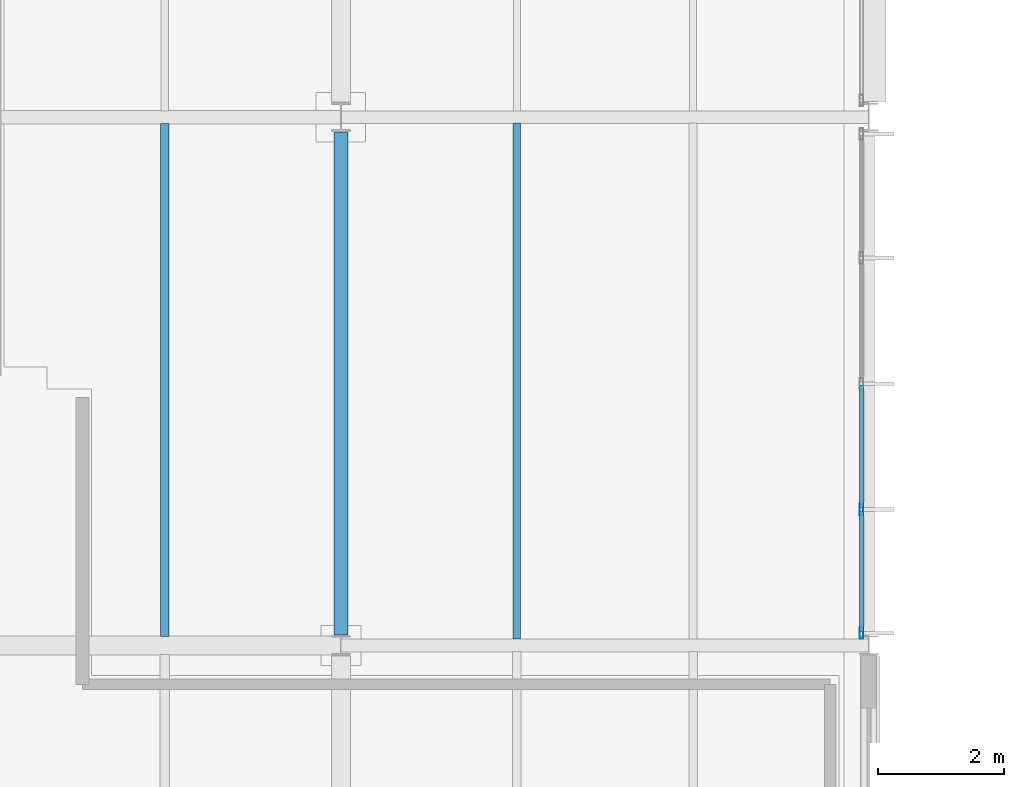
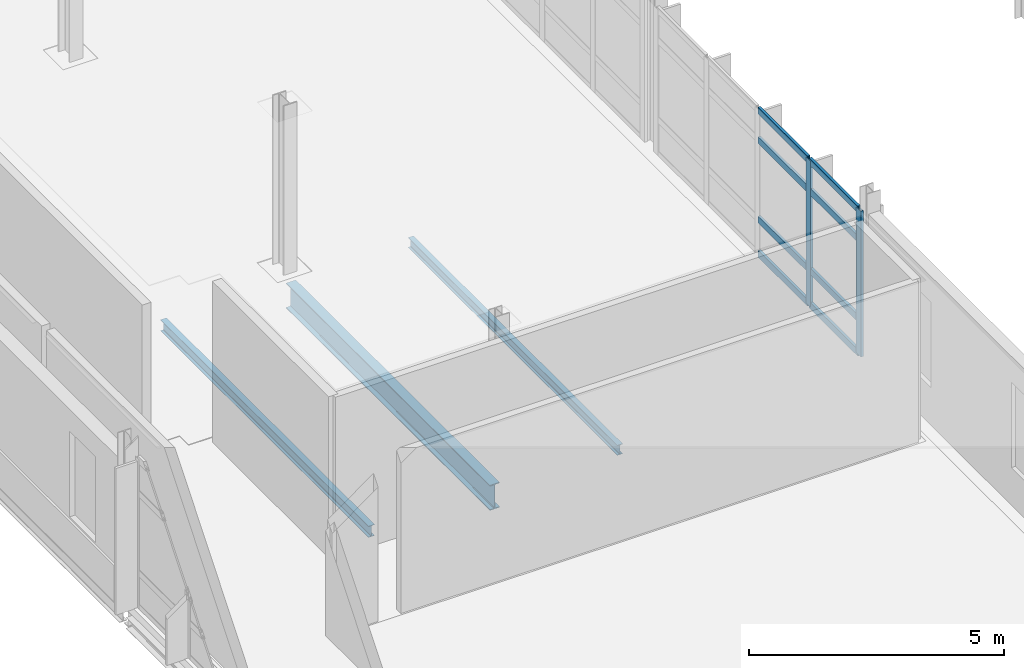
# One storey, part 49 of 103: 10 members, 3 beams, 1 element without a shape of its own.
"""IFC4 building model written with IfcOpenShell, lengths in metres."""

from ifc_helpers import new_model, si_unit, direction, frame, origin, origin_2d, place, context, subcontext, project, spatial, hollow_rectangle, i_section, extrude, material, material_profile, profile_set, type_object, element, aggregate, save


model = new_model("IFC4")

# Units and contexts
model_context = context("Model", 3, precision=1e-05, world=origin(), true_north=direction((0.0, 1.0)))
body_context = subcontext(model_context, "Body", "Model", "MODEL_VIEW")
ifc_project = project(units=[si_unit("LENGTHUNIT", "METRE"), si_unit("AREAUNIT", "SQUARE_METRE"), si_unit("VOLUMEUNIT", "CUBIC_METRE"), si_unit("PLANEANGLEUNIT", "RADIAN"), si_unit("MASSUNIT", "GRAM", prefix="KILO")], contexts=[model_context])

# Site, building, storey
site_placement = place(None, origin())
site = spatial("IfcSite", under=ifc_project, at=site_placement, CompositionType="ELEMENT")
building_placement = place(site_placement, origin())
building = spatial("IfcBuilding", under=site, at=building_placement, Name="Mersafa Astral City Hall", CompositionType="ELEMENT")
storey_placement = place(building_placement, frame((0.0, 0.0, 18.0)))
storey = spatial("IfcBuildingStorey", under=building, at=storey_placement, Name="L04", CompositionType="ELEMENT", Elevation=18.0)

# Curtain wall, members
ifc_material_1 = material(Name="Anodised bronze aluminium framing", Category="aluminium")
curtain_wall_type = type_object("IfcCurtainWallType", Name="ENV-CW-1", PredefinedType="USERDEFINED", material=ifc_material_1)
curtain_wall_placement = place(storey_placement, origin())
curtain_wall = element("IfcCurtainWall", 1, at=curtain_wall_placement, inside=storey, type_object=curtain_wall_type, Name="L04 Unitised solar curtain wall 216", ObjectType="UNITISED CURTAIN WALL", PredefinedType="USERDEFINED")
ifc_material_profile_1 = material_profile(ifc_material_1, hollow_rectangle(XDim=0.06005859375, YDim=0.179931640625, WallThickness=0.00390625, at=origin_2d()), Name="RHS 60x180x4")
ifc_profile_set_1 = profile_set([ifc_material_profile_1], Name="Anodised bronze aluminium framing")
member_type_1 = type_object("IfcMemberType", Name="ENV-CW-MUL-1", PredefinedType="MULLION", material=ifc_profile_set_1)
member_1_placement = place(storey_placement, frame((117.47998046875, 100.991943359375, -0.001953125), z_axis=(0.0, 0.0, 1.0), x_axis=(-1.0, 0.0, 0.0)))
member_1 = element("IfcMember", 2, at=member_1_placement, type_object=member_type_1, Name="CW-1 mullion 1", PredefinedType="MULLION", context=body_context, shape_type="SweptSolid", body=[
    extrude(hollow_rectangle(XDim=0.06005859375, YDim=0.179931640625, WallThickness=0.00390625, at=origin_2d()), origin(), (0.0, 0.0, 1.0), 3.489013671875),
])
member_2_placement = place(storey_placement, frame((117.47998046875, 102.962158203125, -0.001953125), z_axis=(0.0, 0.0, 1.0), x_axis=(-1.0, 0.0, 0.0)))
member_2 = element("IfcMember", 3, at=member_2_placement, type_object=member_type_1, Name="CW-1 mullion 2", PredefinedType="MULLION", context=body_context, shape_type="SweptSolid", body=[
    extrude(hollow_rectangle(XDim=0.06005859375, YDim=0.179931640625, WallThickness=0.00390625, at=origin_2d()), origin(), (0.0, 0.0, 1.0), 3.489013671875),
])
ifc_material_profile_2 = material_profile(ifc_material_1, hollow_rectangle(XDim=0.06005859375, YDim=0.159912109375, WallThickness=0.00390625, at=origin_2d()), Name="RHS 60x160x4")
ifc_profile_set_2 = profile_set([ifc_material_profile_2], Name="Anodised bronze aluminium framing")
member_type_2 = type_object("IfcMemberType", Name="ENV-CW-TRN-2", PredefinedType="USERDEFINED", material=ifc_profile_set_2)
member_3_placement = place(storey_placement, frame((117.47998046875, 101.02197265625, 0.028076171875), z_axis=(0.0, 1.0, 0.0), x_axis=(-1.0, 0.0, 0.0)))
member_3 = element("IfcMember", 4, at=member_3_placement, type_object=member_type_2, Name="CW-1 transom 1.1", ObjectType="TRANSOM", PredefinedType="USERDEFINED", context=body_context, shape_type="SweptSolid", body=[
    extrude(hollow_rectangle(XDim=0.06005859375, YDim=0.159912109375, WallThickness=0.00390625, at=origin_2d()), origin(), (0.0, 0.0, 1.0), 1.91015625),
])
member_4_placement = place(storey_placement, frame((117.47998046875, 101.02197265625, 0.85009765625), z_axis=(0.0, 1.0, 0.0), x_axis=(-1.0, 0.0, 0.0)))
member_4 = element("IfcMember", 5, at=member_4_placement, type_object=member_type_2, Name="CW-1 transom 1.2", ObjectType="TRANSOM", PredefinedType="USERDEFINED", context=body_context, shape_type="SweptSolid", body=[
    extrude(hollow_rectangle(XDim=0.06005859375, YDim=0.159912109375, WallThickness=0.00390625, at=origin_2d()), origin(), (0.0, 0.0, 1.0), 1.91015625),
])
member_5_placement = place(storey_placement, frame((117.47998046875, 101.02197265625, 2.75), z_axis=(0.0, 1.0, 0.0), x_axis=(-1.0, 0.0, 0.0)))
member_5 = element("IfcMember", 6, at=member_5_placement, type_object=member_type_2, Name="CW-1 transom 1.3", ObjectType="TRANSOM", PredefinedType="USERDEFINED", context=body_context, shape_type="SweptSolid", body=[
    extrude(hollow_rectangle(XDim=0.06005859375, YDim=0.159912109375, WallThickness=0.00390625, at=origin_2d()), origin(), (0.0, 0.0, 1.0), 1.91015625),
])
member_6_placement = place(storey_placement, frame((117.47998046875, 101.02197265625, 3.45703125), z_axis=(0.0, 1.0, 0.0), x_axis=(-1.0, 0.0, 0.0)))
member_6 = element("IfcMember", 7, at=member_6_placement, type_object=member_type_2, Name="CW-1 transom 1.4", ObjectType="TRANSOM", PredefinedType="USERDEFINED", context=body_context, shape_type="SweptSolid", body=[
    extrude(hollow_rectangle(XDim=0.06005859375, YDim=0.159912109375, WallThickness=0.00390625, at=origin_2d()), origin(), (0.0, 0.0, 1.0), 1.91015625),
])
member_7_placement = place(storey_placement, frame((117.47998046875, 102.9921875, 0.028076171875), z_axis=(0.0, 1.0, 0.0), x_axis=(-1.0, 0.0, 0.0)))
member_7 = element("IfcMember", 8, at=member_7_placement, type_object=member_type_2, Name="CW-1 transom 2.1", ObjectType="TRANSOM", PredefinedType="USERDEFINED", context=body_context, shape_type="SweptSolid", body=[
    extrude(hollow_rectangle(XDim=0.06005859375, YDim=0.159912109375, WallThickness=0.00390625, at=origin_2d()), origin(), (0.0, 0.0, 1.0), 1.9404296875),
])
member_8_placement = place(storey_placement, frame((117.47998046875, 102.9921875, 0.85009765625), z_axis=(0.0, 1.0, 0.0), x_axis=(-1.0, 0.0, 0.0)))
member_8 = element("IfcMember", 9, at=member_8_placement, type_object=member_type_2, Name="CW-1 transom 2.2", ObjectType="TRANSOM", PredefinedType="USERDEFINED", context=body_context, shape_type="SweptSolid", body=[
    extrude(hollow_rectangle(XDim=0.06005859375, YDim=0.159912109375, WallThickness=0.00390625, at=origin_2d()), origin(), (0.0, 0.0, 1.0), 1.9404296875),
])
member_9_placement = place(storey_placement, frame((117.47998046875, 102.9921875, 2.75), z_axis=(0.0, 1.0, 0.0), x_axis=(-1.0, 0.0, 0.0)))
member_9 = element("IfcMember", 10, at=member_9_placement, type_object=member_type_2, Name="CW-1 transom 2.3", ObjectType="TRANSOM", PredefinedType="USERDEFINED", context=body_context, shape_type="SweptSolid", body=[
    extrude(hollow_rectangle(XDim=0.06005859375, YDim=0.159912109375, WallThickness=0.00390625, at=origin_2d()), origin(), (0.0, 0.0, 1.0), 1.9404296875),
])
member_10_placement = place(storey_placement, frame((117.47998046875, 102.9921875, 3.45703125), z_axis=(0.0, 1.0, 0.0), x_axis=(-1.0, 0.0, 0.0)))
member_10 = element("IfcMember", 11, at=member_10_placement, type_object=member_type_2, Name="CW-1 transom 2.4", ObjectType="TRANSOM", PredefinedType="USERDEFINED", context=body_context, shape_type="SweptSolid", body=[
    extrude(hollow_rectangle(XDim=0.06005859375, YDim=0.159912109375, WallThickness=0.00390625, at=origin_2d()), origin(), (0.0, 0.0, 1.0), 1.9404296875),
])
aggregate(curtain_wall, [member_1, member_2, member_3, member_4, member_5, member_6, member_7, member_8, member_9, member_10])

# Beams
ifc_material_2 = material(Name="Steel S355", Category="steel")
ifc_material_profile_3 = material_profile(ifc_material_2, i_section(OverallWidth=0.219970703125, OverallDepth=0.60009765625, WebThickness=0.011962890625, FlangeThickness=0.01904296875, FilletRadius=0.02392578125, at=origin_2d()), Name="IPE 600")
ifc_profile_set_3 = profile_set([ifc_material_profile_3], Name="Steel S355")
beam_type_1 = type_object("IfcBeamType", Name="STR-BM-IPE600", PredefinedType="BEAM", material=ifc_profile_set_3)
beam_1_placement = place(storey_placement, frame((109.199951171875, 100.965087890625, -0.485107421875), z_axis=(0.0, 1.0, 0.0), x_axis=(-1.0, 0.0, 0.0)))
element("IfcBeam", 12, at=beam_1_placement, inside=storey, type_object=beam_type_1, Name="L04 Primary girder Y 13-12", PredefinedType="BEAM", context=body_context, shape_type="SweptSolid", body=[
    extrude(i_section(OverallWidth=0.219970703125, OverallDepth=0.60009765625, WebThickness=0.011962890625, FlangeThickness=0.01904296875, FilletRadius=0.02392578125, at=origin_2d()), origin(), (0.0, 0.0, 1.0), 7.989990234375),
])
ifc_material_profile_4 = material_profile(ifc_material_2, i_section(OverallWidth=0.1201171875, OverallDepth=0.239990234375, WebThickness=0.006103515625, FlangeThickness=0.009765625, FilletRadius=0.014892578125, at=origin_2d()), Name="IPE 240")
ifc_profile_set_4 = profile_set([ifc_material_profile_4], Name="Steel S355")
beam_type_2 = type_object("IfcBeamType", Name="STR-BM-JOIST-IPE240", PredefinedType="JOIST", material=ifc_profile_set_4)
beam_2_placement = place(storey_placement, frame((112.0, 100.89990234375, -0.304931640625), z_axis=(0.0, 1.0, 0.0), x_axis=(-1.0, 0.0, 0.0)))
element("IfcBeam", 13, at=beam_2_placement, inside=storey, type_object=beam_type_2, Name="L04 Composite secondary floor joist 740", PredefinedType="JOIST", context=body_context, shape_type="SweptSolid", body=[
    extrude(i_section(OverallWidth=0.1201171875, OverallDepth=0.239990234375, WebThickness=0.006103515625, FlangeThickness=0.009765625, FilletRadius=0.014892578125, at=origin_2d()), origin(), (0.0, 0.0, 1.0), 8.205078125),
])
ifc_material_profile_5 = material_profile(ifc_material_2, i_section(OverallWidth=0.135009765625, OverallDepth=0.27001953125, WebThickness=0.006591796875, FlangeThickness=0.01025390625, FilletRadius=0.014892578125, at=origin_2d()), Name="IPE 270")
ifc_profile_set_5 = profile_set([ifc_material_profile_5], Name="Steel S355")
beam_type_3 = type_object("IfcBeamType", Name="STR-BM-JOIST-IPE270", PredefinedType="JOIST", material=ifc_profile_set_5)
beam_3_placement = place(storey_placement, frame((106.39990234375, 100.945068359375, -0.320068359375), z_axis=(0.0, 1.0, 0.0), x_axis=(-1.0, 0.0, 0.0)))
element("IfcBeam", 14, at=beam_3_placement, inside=storey, type_object=beam_type_3, Name="L04 Composite secondary floor joist 727", PredefinedType="JOIST", context=body_context, shape_type="SweptSolid", body=[
    extrude(i_section(OverallWidth=0.135009765625, OverallDepth=0.27001953125, WebThickness=0.006591796875, FlangeThickness=0.01025390625, FilletRadius=0.014892578125, at=origin_2d()), origin(), (0.0, 0.0, 1.0), 8.155029296875),
])

save(model, "model.ifc")
